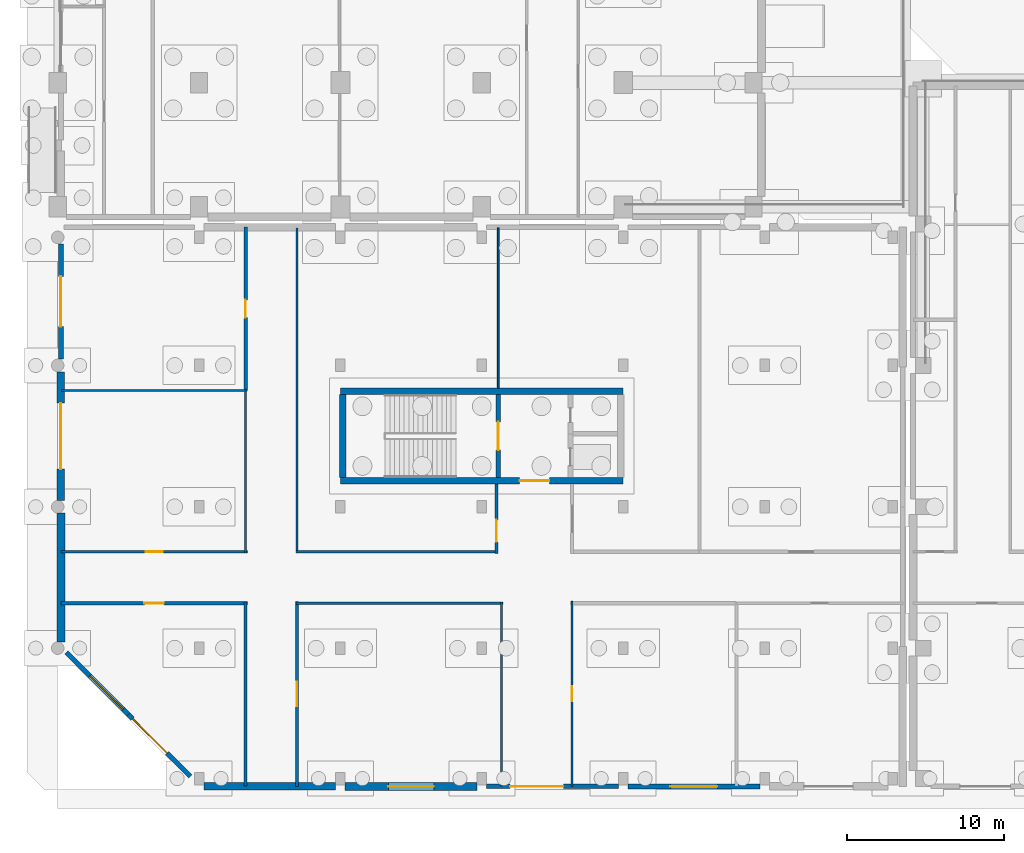
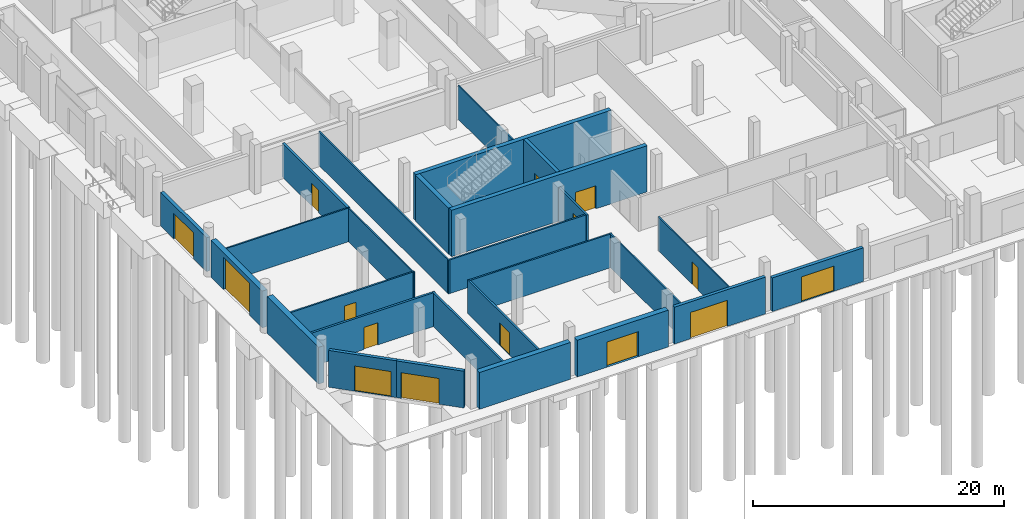
# One storey, part 13 of 53: 27 walls, 15 doors, 15 openings.
"""IFC4 building model written with IfcOpenShell, lengths in metres."""

from ifc_helpers import new_model, si_unit, direction, frame, frame_2d, origin, place, context, subcontext, project, spatial, rectangle, extrude, material, layer, layer_set, type_object, element, fill, save


model = new_model("IFC4")

# Units and contexts
model_context = context("Model", 3, precision=1e-05, world=origin(), true_north=direction((0.0, 1.0)))
body_context = subcontext(model_context, "Body", "Model", "MODEL_VIEW")
ifc_project = project(units=[si_unit("LENGTHUNIT", "METRE"), si_unit("AREAUNIT", "SQUARE_METRE"), si_unit("VOLUMEUNIT", "CUBIC_METRE"), si_unit("PLANEANGLEUNIT", "RADIAN"), si_unit("MASSUNIT", "GRAM", prefix="KILO"), si_unit("THERMODYNAMICTEMPERATUREUNIT", "KELVIN"), si_unit("POWERUNIT", "WATT")], contexts=[model_context])

# Site, building, storey
site_placement = place(None, origin())
site = spatial("IfcSite", under=ifc_project, at=site_placement, CompositionType="ELEMENT")
building_placement = place(site_placement, origin())
building = spatial("IfcBuilding", under=site, at=building_placement, Name="Sindhuravela Promenade Stadium", CompositionType="ELEMENT")
storey_placement = place(building_placement, origin())
storey = spatial("IfcBuildingStorey", under=building, at=storey_placement, Name="L00", CompositionType="ELEMENT", Elevation=0.0)

# Wall, opening, door
ifc_material_1 = material(Name="Dholpur sandstone ashlar (45 MPa)", Category="masonry")
ifc_layer_1 = layer(ifc_material_1, 0.2900390625)
ifc_layer_set_1 = layer_set([ifc_layer_1], Name="Dholpur sandstone ashlar (45 MPa)")
wall_type_1 = type_object("IfcWallType", Name="EX-WL-SND290", PredefinedType="SOLIDWALL", material=ifc_layer_set_1)
wall_1_placement = place(storey_placement, frame((4.491455078125, 4.79150390625, 0.0), z_axis=(0.0, 0.0, 1.0), x_axis=(-0.7071286530614815, 0.7070849086350626, 0.0)))
wall_1 = element("IfcWall", 1, at=wall_1_placement, inside=storey, type_object=wall_type_1, Name="Exterior masonry wall EW10 Pavilion SW L00", PredefinedType="SOLIDWALL", context=body_context, shape_type="SweptSolid", body=[
    extrude(rectangle(XDim=5.5810546875, YDim=0.2900390625, at=frame_2d((2.79052734375, 0.0))), origin(), (0.0, 0.0, 1.0), 3.580078125),
])
opening_1_placement = place(wall_1_placement, frame((0.453369140625, 0.0, 0.0)))
opening_1 = element("IfcOpeningElement", 2, at=opening_1_placement, cuts=wall_1, Name="Opening G11", PredefinedType="OPENING", context=body_context, shape_type="SweptSolid", body=[
    extrude(rectangle(XDim=3.0, YDim=2.449951171875, at=frame_2d((1.5, 1.22509765625))), frame((0.0, 0.155029296875, 0.0), z_axis=(0.0, -1.0, 0.0), x_axis=(1.0, 0.0, 0.0)), (0.0, 0.0, 1.0), 0.31005859375),
])
ifc_material_2 = material(Name="Anodised architectural aluminium 6063-T6", Category="aluminium")
door_type_1 = type_object("IfcDoorType", Name="DR-EXIT-3000x2450", OperationType="DOUBLE_DOOR_SINGLE_SWING", PredefinedType="DOOR", material=ifc_material_2)
door_1_placement = place(opening_1_placement, origin())
door_1 = element("IfcDoor", 3, at=door_1_placement, inside=storey, type_object=door_type_1, Name="Gate exit door G11", OperationType="DOUBLE_DOOR_SINGLE_SWING", OverallHeight=2.449951171875, OverallWidth=3.0, PredefinedType="DOOR", context=body_context, shape_type="SweptSolid", body=[
    extrude(rectangle(XDim=3.0, YDim=2.449951171875, at=frame_2d((1.5, 1.22509765625))), frame((0.0, 0.02490234375, 0.0), z_axis=(0.0, -1.0, 0.0), x_axis=(1.0, 0.0, 0.0)), (0.0, 0.0, 1.0), 0.050048828125),
])
fill(opening_1, door_1)

wall_2_placement = place(storey_placement, frame((35.695068359375, 0.199951171875, 0.0), z_axis=(0.0, 0.0, 1.0), x_axis=(-1.0, 0.0, 0.0)))
wall_2 = element("IfcWall", 4, at=wall_2_placement, inside=storey, type_object=wall_type_1, Name="Exterior masonry wall EW10 Pavilion SW L00", PredefinedType="SOLIDWALL", context=body_context, shape_type="SweptSolid", body=[
    extrude(rectangle(XDim=8.39013671875, YDim=0.2900390625, at=frame_2d((4.195068359375, 0.0))), origin(), (0.0, 0.0, 1.0), 3.580078125),
])
opening_2_placement = place(wall_2_placement, frame((3.4951171875, 0.0, 0.0)))
opening_2 = element("IfcOpeningElement", 5, at=opening_2_placement, cuts=wall_2, Name="Opening E07", PredefinedType="OPENING", context=body_context, shape_type="SweptSolid", body=[
    extrude(rectangle(XDim=3.39990234375, YDim=2.550048828125, at=frame_2d((1.699951171875, 1.27490234375))), frame((0.0, 0.155029296875, 0.0), z_axis=(0.0, -1.0, 0.0), x_axis=(1.0, 0.0, 0.0)), (0.0, 0.0, 1.0), 0.31005859375),
])
door_type_2 = type_object("IfcDoorType", Name="DR-EXIT-3400x2550", OperationType="DOUBLE_DOOR_SINGLE_SWING", PredefinedType="DOOR", material=ifc_material_2)
door_2_placement = place(opening_2_placement, origin())
door_2 = element("IfcDoor", 6, at=door_2_placement, inside=storey, type_object=door_type_2, Name="Final exit door E07", OperationType="DOUBLE_DOOR_SINGLE_SWING", OverallHeight=2.550048828125, OverallWidth=3.39990234375, PredefinedType="DOOR", context=body_context, shape_type="SweptSolid", body=[
    extrude(rectangle(XDim=3.39990234375, YDim=2.550048828125, at=frame_2d((1.699951171875, 1.27490234375))), frame((0.0, 0.02490234375, 0.0), z_axis=(0.0, -1.0, 0.0), x_axis=(1.0, 0.0, 0.0)), (0.0, 0.0, 1.0), 0.050048828125),
])
fill(opening_2, door_2)

ifc_layer_2 = layer(ifc_material_1, 0.31005859375)
ifc_layer_set_2 = layer_set([ifc_layer_2], Name="Dholpur sandstone ashlar (45 MPa)")
wall_type_2 = type_object("IfcWallType", Name="EX-WL-SND310", PredefinedType="SOLIDWALL", material=ifc_layer_set_2)
wall_3_placement = place(storey_placement, frame((8.43798828125, 0.844970703125, 0.0), z_axis=(0.0, 0.0, 1.0), x_axis=(-0.7071067811865476, 0.7071067811865476, 0.0)))
wall_3 = element("IfcWall", 7, at=wall_3_placement, inside=storey, type_object=wall_type_2, Name="Exterior masonry wall EW09 Pavilion SW L00", PredefinedType="SOLIDWALL", context=body_context, shape_type="SweptSolid", body=[
    extrude(rectangle(XDim=5.581298828125, YDim=0.31005859375, at=frame_2d((2.79052734375, 0.0))), origin(), (0.0, 0.0, 1.0), 3.580078125),
])
opening_3_placement = place(wall_3_placement, frame((2.07763671875, 0.0, 0.0)))
opening_3 = element("IfcOpeningElement", 8, at=opening_3_placement, cuts=wall_3, Name="Opening G10", PredefinedType="OPENING", context=body_context, shape_type="SweptSolid", body=[
    extrude(rectangle(XDim=3.10009765625, YDim=2.5, at=frame_2d((1.550048828125, 1.25))), frame((0.0, 0.1650390625, 0.0), z_axis=(0.0, -1.0, 0.0), x_axis=(1.0, 0.0, 0.0)), (0.0, 0.0, 1.0), 0.330078125),
])
door_type_3 = type_object("IfcDoorType", Name="DR-EXIT-3100x2500", OperationType="DOUBLE_DOOR_SINGLE_SWING", PredefinedType="DOOR", material=ifc_material_2)
door_3_placement = place(opening_3_placement, origin())
door_3 = element("IfcDoor", 9, at=door_3_placement, inside=storey, type_object=door_type_3, Name="Gate exit door G10", OperationType="DOUBLE_DOOR_SINGLE_SWING", OverallHeight=2.5, OverallWidth=3.10009765625, PredefinedType="DOOR", context=body_context, shape_type="SweptSolid", body=[
    extrude(rectangle(XDim=3.10009765625, YDim=2.5, at=frame_2d((1.550048828125, 1.25))), frame((0.0, 0.02490234375, 0.0), z_axis=(0.0, -1.0, 0.0), x_axis=(1.0, 0.0, 0.0)), (0.0, 0.0, 1.0), 0.050048828125),
])
fill(opening_3, door_3)

wall_4_placement = place(storey_placement, frame((0.199951171875, 27.405029296875, 0.0), z_axis=(0.0, 0.0, 1.0), x_axis=(0.0, 1.0, 0.0)))
wall_4 = element("IfcWall", 10, at=wall_4_placement, inside=storey, type_object=wall_type_2, Name="Exterior masonry wall EW09 Pavilion SW L00", PredefinedType="SOLIDWALL", context=body_context, shape_type="SweptSolid", body=[
    extrude(rectangle(XDim=7.340087890625, YDim=0.31005859375, at=frame_2d((3.669921875, 0.0))), origin(), (0.0, 0.0, 1.0), 3.280029296875),
])
opening_4_placement = place(wall_4_placement, frame((2.070068359375, 0.0, 0.0)))
opening_4 = element("IfcOpeningElement", 11, at=opening_4_placement, cuts=wall_4, Name="Opening G13", PredefinedType="OPENING", context=body_context, shape_type="SweptSolid", body=[
    extrude(rectangle(XDim=3.199951171875, YDim=2.5, at=frame_2d((1.60009765625, 1.25))), frame((0.0, 0.1650390625, 0.0), z_axis=(0.0, -1.0, 0.0), x_axis=(1.0, 0.0, 0.0)), (0.0, 0.0, 1.0), 0.330078125),
])
door_type_4 = type_object("IfcDoorType", Name="DR-EXIT-3200x2500", OperationType="DOUBLE_DOOR_SINGLE_SWING", PredefinedType="DOOR", material=ifc_material_2)
door_4_placement = place(opening_4_placement, origin())
door_4 = element("IfcDoor", 12, at=door_4_placement, inside=storey, type_object=door_type_4, Name="Gate exit door G13", OperationType="DOUBLE_DOOR_SINGLE_SWING", OverallHeight=2.5, OverallWidth=3.199951171875, PredefinedType="DOOR", context=body_context, shape_type="SweptSolid", body=[
    extrude(rectangle(XDim=3.199951171875, YDim=2.5, at=frame_2d((1.60009765625, 1.25))), frame((0.0, 0.02490234375, 0.0), z_axis=(0.0, -1.0, 0.0), x_axis=(1.0, 0.0, 0.0)), (0.0, 0.0, 1.0), 0.050048828125),
])
fill(opening_4, door_4)

wall_5_placement = place(storey_placement, frame((44.695068359375, 0.199951171875, 0.0), z_axis=(0.0, 0.0, 1.0), x_axis=(-1.0, 0.0, 0.0)))
wall_5 = element("IfcWall", 13, at=wall_5_placement, inside=storey, type_object=wall_type_2, Name="Exterior masonry wall EW09 Pavilion SW L00", PredefinedType="SOLIDWALL", context=body_context, shape_type="SweptSolid", body=[
    extrude(rectangle(XDim=8.39013671875, YDim=0.31005859375, at=frame_2d((4.195068359375, 0.0))), origin(), (0.0, 0.0, 1.0), 3.280029296875),
])
opening_5_placement = place(wall_5_placement, frame((2.695068359375, 0.0, 0.0)))
opening_5 = element("IfcOpeningElement", 14, at=opening_5_placement, cuts=wall_5, Name="Opening G15", PredefinedType="OPENING", context=body_context, shape_type="SweptSolid", body=[
    extrude(rectangle(XDim=3.0, YDim=2.449951171875, at=frame_2d((1.5, 1.22509765625))), frame((0.0, 0.1650390625, 0.0), z_axis=(0.0, -1.0, 0.0), x_axis=(1.0, 0.0, 0.0)), (0.0, 0.0, 1.0), 0.330078125),
])
door_5_placement = place(opening_5_placement, origin())
door_5 = element("IfcDoor", 15, at=door_5_placement, inside=storey, type_object=door_type_1, Name="Gate exit door G15", OperationType="DOUBLE_DOOR_SINGLE_SWING", OverallHeight=2.449951171875, OverallWidth=3.0, PredefinedType="DOOR", context=body_context, shape_type="SweptSolid", body=[
    extrude(rectangle(XDim=3.0, YDim=2.449951171875, at=frame_2d((1.5, 1.22509765625))), frame((0.0, 0.02490234375, 0.0), z_axis=(0.0, -1.0, 0.0), x_axis=(1.0, 0.0, 0.0)), (0.0, 0.0, 1.0), 0.050048828125),
])
fill(opening_5, door_5)

ifc_layer_3 = layer(ifc_material_1, 0.47998046875)
ifc_layer_set_3 = layer_set([ifc_layer_3], Name="Dholpur sandstone ashlar (45 MPa)")
wall_type_3 = type_object("IfcWallType", Name="EX-WL-SND480", PredefinedType="SOLIDWALL", material=ifc_layer_set_3)
wall_6_placement = place(storey_placement, frame((0.199951171875, 18.405029296875, 0.0), z_axis=(0.0, 0.0, 1.0), x_axis=(0.0, 1.0, 0.0)))
wall_6 = element("IfcWall", 16, at=wall_6_placement, inside=storey, type_object=wall_type_3, Name="Exterior masonry wall EW08 Pavilion SW L00", PredefinedType="SOLIDWALL", context=body_context, shape_type="SweptSolid", body=[
    extrude(rectangle(XDim=8.18994140625, YDim=0.47998046875, at=frame_2d((4.094970703125, 0.0))), origin(), (0.0, 0.0, 1.0), 3.580078125),
])
opening_6_placement = place(wall_6_placement, frame((1.9951171875, 0.0, 0.0)))
opening_6 = element("IfcOpeningElement", 17, at=opening_6_placement, cuts=wall_6, Name="Opening VD01", PredefinedType="OPENING", context=body_context, shape_type="SweptSolid", body=[
    extrude(rectangle(XDim=4.199951171875, YDim=3.14990234375, at=frame_2d((2.10009765625, 1.574951171875))), frame((0.0, 0.25, 0.0), z_axis=(0.0, -1.0, 0.0), x_axis=(1.0, 0.0, 0.0)), (0.0, 0.0, 1.0), 0.5),
])
ifc_material_3 = material(Name="Architectural wrought steel E350", Category="steel")
door_type_5 = type_object("IfcDoorType", Name="DR-SHUT-4200x3150", OperationType="ROLLINGUP", PredefinedType="DOOR", material=ifc_material_3)
door_6_placement = place(opening_6_placement, origin())
door_6 = element("IfcDoor", 18, at=door_6_placement, inside=storey, type_object=door_type_5, Name="Vehicle tunnel roller shutter VD01", OperationType="ROLLINGUP", OverallHeight=3.14990234375, OverallWidth=4.199951171875, PredefinedType="DOOR", context=body_context, shape_type="SweptSolid", body=[
    extrude(rectangle(XDim=4.199951171875, YDim=3.14990234375, at=frame_2d((2.10009765625, 1.574951171875))), frame((0.0, 0.02490234375, 0.0), z_axis=(0.0, -1.0, 0.0), x_axis=(1.0, 0.0, 0.0)), (0.0, 0.0, 1.0), 0.050048828125),
])
fill(opening_6, door_6)

# Walls
wall_7_placement = place(storey_placement, frame((17.695068359375, 0.199951171875, 0.0), z_axis=(0.0, 0.0, 1.0), x_axis=(-1.0, 0.0, 0.0)))
element("IfcWall", 19, at=wall_7_placement, inside=storey, type_object=wall_type_3, Name="Exterior masonry wall EW08 Pavilion SW L00", PredefinedType="SOLIDWALL", context=body_context, shape_type="SweptSolid", body=[
    extrude(rectangle(XDim=8.39013671875, YDim=0.47998046875, at=frame_2d((4.195068359375, 0.0))), origin(), (0.0, 0.0, 1.0), 3.580078125),
])
ifc_layer_4 = layer(ifc_material_1, 0.5)
ifc_layer_set_4 = layer_set([ifc_layer_4], Name="Dholpur sandstone ashlar (45 MPa)")
wall_type_4 = type_object("IfcWallType", Name="EX-WL-SND500", PredefinedType="SOLIDWALL", material=ifc_layer_set_4)
wall_8_placement = place(storey_placement, frame((0.199951171875, 9.405029296875, 0.0), z_axis=(0.0, 0.0, 1.0), x_axis=(0.0, 1.0, 0.0)))
element("IfcWall", 20, at=wall_8_placement, inside=storey, type_object=wall_type_4, Name="Exterior masonry wall EW07 Pavilion SW L00", PredefinedType="SOLIDWALL", context=body_context, shape_type="SweptSolid", body=[
    extrude(rectangle(XDim=8.18994140625, YDim=0.5, at=frame_2d((4.094970703125, 0.0))), origin(), (0.0, 0.0, 1.0), 3.580078125),
])

# Wall, opening, door
wall_9_placement = place(storey_placement, frame((26.695068359375, 0.199951171875, 0.0), z_axis=(0.0, 0.0, 1.0), x_axis=(-1.0, 0.0, 0.0)))
wall_9 = element("IfcWall", 21, at=wall_9_placement, inside=storey, type_object=wall_type_4, Name="Exterior masonry wall EW07 Pavilion SW L00", PredefinedType="SOLIDWALL", context=body_context, shape_type="SweptSolid", body=[
    extrude(rectangle(XDim=8.39013671875, YDim=0.5, at=frame_2d((4.195068359375, 0.0))), origin(), (0.0, 0.0, 1.0), 3.580078125),
])
opening_7_placement = place(wall_9_placement, frame((2.7451171875, 0.0, 0.0)))
opening_7 = element("IfcOpeningElement", 22, at=opening_7_placement, cuts=wall_9, Name="Opening G16", PredefinedType="OPENING", context=body_context, shape_type="SweptSolid", body=[
    extrude(rectangle(XDim=2.89990234375, YDim=2.449951171875, at=frame_2d((1.449951171875, 1.22509765625))), frame((0.0, 0.260009765625, 0.0), z_axis=(0.0, -1.0, 0.0), x_axis=(1.0, 0.0, 0.0)), (0.0, 0.0, 1.0), 0.52001953125),
])
door_type_6 = type_object("IfcDoorType", Name="DR-EXIT-2900x2450", OperationType="DOUBLE_DOOR_SINGLE_SWING", PredefinedType="DOOR", material=ifc_material_2)
door_7_placement = place(opening_7_placement, origin())
door_7 = element("IfcDoor", 23, at=door_7_placement, inside=storey, type_object=door_type_6, Name="Gate exit door G16", OperationType="DOUBLE_DOOR_SINGLE_SWING", OverallHeight=2.449951171875, OverallWidth=2.89990234375, PredefinedType="DOOR", context=body_context, shape_type="SweptSolid", body=[
    extrude(rectangle(XDim=2.89990234375, YDim=2.449951171875, at=frame_2d((1.449951171875, 1.22509765625))), frame((0.0, 0.02490234375, 0.0), z_axis=(0.0, -1.0, 0.0), x_axis=(1.0, 0.0, 0.0)), (0.0, 0.0, 1.0), 0.050048828125),
])
fill(opening_7, door_7)

# Wall
ifc_material_4 = material(Name="Fire-rated gypsum partition board", Category="gypsum")
ifc_layer_5 = layer(ifc_material_4, 0.110107421875)
ifc_layer_set_5 = layer_set([ifc_layer_5], Name="Fire-rated gypsum partition board")
wall_type_5 = type_object("IfcWallType", Name="IN-WL-PAR110", PredefinedType="PARTITIONING", material=ifc_layer_set_5)
wall_10_placement = place(storey_placement, frame((28.05322265625, 35.760009765625, 0.0), z_axis=(0.0, 0.0, 1.0), x_axis=(0.0, -1.0, 0.0)))
element("IfcWall", 24, at=wall_10_placement, inside=storey, type_object=wall_type_5, Name="Interior partition IW06 Pavilion SW L00", PredefinedType="PARTITIONING", context=body_context, shape_type="SweptSolid", body=[
    extrude(rectangle(XDim=10.2080078125, YDim=0.110107421875, at=frame_2d((5.10400390625, 0.0))), origin(), (0.0, 0.0, 1.0), 3.280029296875),
])

# Wall, opening, door
wall_11_placement = place(storey_placement, frame((32.739990234375, 11.97998046875, 0.0), z_axis=(0.0, 0.0, 1.0), x_axis=(0.0, -1.0, 0.0)))
wall_11 = element("IfcWall", 25, at=wall_11_placement, inside=storey, type_object=wall_type_5, Name="Corridor partition IW06 Gate Ticketing Hall SW 2", PredefinedType="PARTITIONING", context=body_context, shape_type="SweptSolid", body=[
    extrude(rectangle(XDim=11.780029296875, YDim=0.110107421875, at=frame_2d((5.89013671875, 0.0))), origin(), (0.0, 0.0, 1.0), 3.280029296875),
])
opening_8_placement = place(wall_11_placement, frame((5.4150390625, 0.0, 0.0)))
opening_8 = element("IfcOpeningElement", 26, at=opening_8_placement, cuts=wall_11, Name="Opening ID10", PredefinedType="OPENING", context=body_context, shape_type="SweptSolid", body=[
    extrude(rectangle(XDim=0.949951171875, YDim=2.179931640625, at=frame_2d((0.47509765625, 1.08984375))), frame((0.0, 0.06494140625, 0.0), z_axis=(0.0, -1.0, 0.0), x_axis=(1.0, 0.0, 0.0)), (0.0, 0.0, 1.0), 0.130126953125),
])
ifc_material_5 = material(Name="Architectural teak timber leaf", Category="wood")
door_type_7 = type_object("IfcDoorType", Name="DR-INT-950x2180", OperationType="NOTDEFINED", PredefinedType="DOOR", material=ifc_material_5)
door_8_placement = place(opening_8_placement, origin())
door_8 = element("IfcDoor", 27, at=door_8_placement, inside=storey, type_object=door_type_7, Name="Gate Ticketing Hall SW 2 door", OperationType="SINGLE_SWING_RIGHT", OverallHeight=2.179931640625, OverallWidth=0.949951171875, PredefinedType="DOOR", context=body_context, shape_type="SweptSolid", body=[
    extrude(rectangle(XDim=0.949951171875, YDim=2.179931640625, at=frame_2d((0.47509765625, 1.08984375))), frame((0.0, 0.02490234375, 0.0), z_axis=(0.0, -1.0, 0.0), x_axis=(1.0, 0.0, 0.0)), (0.0, 0.0, 1.0), 0.050048828125),
])
fill(opening_8, door_8)

# Walls
wall_12_placement = place(storey_placement, frame((11.9599609375, 25.3701171875, 0.0), z_axis=(0.0, 0.0, 1.0), x_axis=(0.0, -1.0, 0.0)))
element("IfcWall", 28, at=wall_12_placement, inside=storey, type_object=wall_type_5, Name="Interior partition IW06 Pavilion SW L00", PredefinedType="PARTITIONING", context=body_context, shape_type="SweptSolid", body=[
    extrude(rectangle(XDim=10.31005859375, YDim=0.110107421875, at=frame_2d((5.155029296875, 0.0))), origin(), (0.0, 0.0, 1.0), 3.280029296875),
])
ifc_layer_6 = layer(ifc_material_4, 0.1298828125)
ifc_layer_set_6 = layer_set([ifc_layer_6], Name="Fire-rated gypsum partition board")
wall_type_6 = type_object("IfcWallType", Name="IN-WL-PAR130", PredefinedType="PARTITIONING", material=ifc_layer_set_6)
wall_13_placement = place(storey_placement, frame((15.239990234375, 15.06005859375, 0.0), z_axis=(0.0, 0.0, 1.0), x_axis=(0.0, 1.0, 0.0)))
element("IfcWall", 29, at=wall_13_placement, inside=storey, type_object=wall_type_6, Name="Interior partition IW05 Pavilion SW L00", PredefinedType="PARTITIONING", context=body_context, shape_type="SweptSolid", body=[
    extrude(rectangle(XDim=20.699951171875, YDim=0.1298828125, at=frame_2d((10.35009765625, 0.0))), origin(), (0.0, 0.0, 1.0), 3.280029296875),
])
wall_14_placement = place(storey_placement, frame((28.260009765625, 11.93994140625, 0.0), z_axis=(0.0, 0.0, 1.0), x_axis=(0.0, -1.0, 0.0)))
element("IfcWall", 30, at=wall_14_placement, inside=storey, type_object=wall_type_6, Name="Interior partition IW05 Pavilion SW L00", PredefinedType="PARTITIONING", context=body_context, shape_type="SweptSolid", body=[
    extrude(rectangle(XDim=11.699951171875, YDim=0.1298828125, at=frame_2d((5.85009765625, 0.0))), origin(), (0.0, 0.0, 1.0), 3.280029296875),
])
wall_15_placement = place(storey_placement, frame((0.239990234375, 25.409912109375, 0.0), z_axis=(0.0, 0.0, 1.0), x_axis=(1.0, 0.0, 0.0)))
element("IfcWall", 31, at=wall_15_placement, inside=storey, type_object=wall_type_6, Name="Interior partition IW05 Pavilion SW L00", PredefinedType="PARTITIONING", context=body_context, shape_type="SweptSolid", body=[
    extrude(rectangle(XDim=11.800048828125, YDim=0.1298828125, at=frame_2d((5.89990234375, 0.0))), origin(), (0.0, 0.0, 1.0), 3.280029296875),
])
ifc_layer_7 = layer(ifc_material_4, 0.14990234375)
ifc_layer_set_7 = layer_set([ifc_layer_7], Name="Fire-rated gypsum partition board")
wall_type_7 = type_object("IfcWallType", Name="IN-WL-PAR150", PredefinedType="PARTITIONING", material=ifc_layer_set_7)
wall_16_placement = place(storey_placement, frame((28.01318359375, 15.139892578125, 0.0), z_axis=(0.0, 0.0, 1.0), x_axis=(-1.0, 0.0, 0.0)))
element("IfcWall", 32, at=wall_16_placement, inside=storey, type_object=wall_type_7, Name="Interior partition IW04 Pavilion SW L00", PredefinedType="PARTITIONING", context=body_context, shape_type="SweptSolid", body=[
    extrude(rectangle(XDim=12.853271484375, YDim=0.14990234375, at=frame_2d((6.4267578125, 0.0))), origin(), (0.0, 0.0, 1.0), 3.280029296875),
])
wall_17_placement = place(storey_placement, frame((15.159912109375, 11.860107421875, 0.0), z_axis=(0.0, 0.0, 1.0), x_axis=(1.0, 0.0, 0.0)))
element("IfcWall", 33, at=wall_17_placement, inside=storey, type_object=wall_type_7, Name="Interior partition IW04 Pavilion SW L00", PredefinedType="PARTITIONING", context=body_context, shape_type="SweptSolid", body=[
    extrude(rectangle(XDim=13.18017578125, YDim=0.14990234375, at=frame_2d((6.590087890625, 0.0))), origin(), (0.0, 0.0, 1.0), 3.280029296875),
])

# Wall, opening, door
wall_18_placement = place(storey_placement, frame((0.199951171875, 15.139892578125, 0.0), z_axis=(0.0, 0.0, 1.0), x_axis=(1.0, 0.0, 0.0)))
wall_18 = element("IfcWall", 34, at=wall_18_placement, inside=storey, type_object=wall_type_7, Name="Corridor partition IW04 Bag Check and Security Hall SW 4", PredefinedType="PARTITIONING", context=body_context, shape_type="SweptSolid", body=[
    extrude(rectangle(XDim=11.880126953125, YDim=0.14990234375, at=frame_2d((5.93994140625, 0.0))), origin(), (0.0, 0.0, 1.0), 3.280029296875),
])
opening_9_placement = place(wall_18_placement, frame((5.39990234375, 0.0, 0.0)))
opening_9 = element("IfcOpeningElement", 35, at=opening_9_placement, cuts=wall_18, Name="Opening ID12", PredefinedType="OPENING", context=body_context, shape_type="SweptSolid", body=[
    extrude(rectangle(XDim=1.080078125, YDim=2.179931640625, at=frame_2d((0.5400390625, 1.08984375))), frame((0.0, 0.0849609375, 0.0), z_axis=(0.0, -1.0, 0.0), x_axis=(1.0, 0.0, 0.0)), (0.0, 0.0, 1.0), 0.169921875),
])
door_type_8 = type_object("IfcDoorType", Name="DR-INT-1080x2180", OperationType="NOTDEFINED", PredefinedType="DOOR", material=ifc_material_5)
door_9_placement = place(opening_9_placement, origin())
door_9 = element("IfcDoor", 36, at=door_9_placement, inside=storey, type_object=door_type_8, Name="Bag Check and Security Hall SW 4 door", OperationType="SINGLE_SWING_RIGHT", OverallHeight=2.179931640625, OverallWidth=1.080078125, PredefinedType="DOOR", context=body_context, shape_type="SweptSolid", body=[
    extrude(rectangle(XDim=1.080078125, YDim=2.179931640625, at=frame_2d((0.5400390625, 1.08984375))), frame((0.0, 0.02490234375, 0.0), z_axis=(0.0, -1.0, 0.0), x_axis=(1.0, 0.0, 0.0)), (0.0, 0.0, 1.0), 0.050048828125),
])
fill(opening_9, door_9)

ifc_layer_8 = layer(ifc_material_4, 0.175048828125)
ifc_layer_set_8 = layer_set([ifc_layer_8], Name="Fire-rated gypsum partition board")
wall_type_8 = type_object("IfcWallType", Name="IN-WL-PAR175", PredefinedType="PARTITIONING", material=ifc_layer_set_8)
wall_19_placement = place(storey_placement, frame((27.933349609375, 15.02001953125, 0.0), z_axis=(0.0, 0.0, 1.0), x_axis=(0.0, 1.0, 0.0)))
wall_19 = element("IfcWall", 37, at=wall_19_placement, inside=storey, type_object=wall_type_8, Name="Corridor partition IW03 Spectator Accreditation Foyer SW", PredefinedType="PARTITIONING", context=body_context, shape_type="SweptSolid", body=[
    extrude(rectangle(XDim=4.427978515625, YDim=0.175048828125, at=frame_2d((2.2138671875, 0.0))), origin(), (0.0, 0.0, 1.0), 3.280029296875),
])
opening_10_placement = place(wall_19_placement, frame((0.751220703125, 0.0, 0.0)))
opening_10 = element("IfcOpeningElement", 38, at=opening_10_placement, cuts=wall_19, Name="Opening ID03", PredefinedType="OPENING", context=body_context, shape_type="SweptSolid", body=[
    extrude(rectangle(XDim=1.39990234375, YDim=2.14990234375, at=frame_2d((0.699951171875, 1.074951171875))), frame((0.0, 0.097412109375, 0.0), z_axis=(0.0, -1.0, 0.0), x_axis=(1.0, 0.0, 0.0)), (0.0, 0.0, 1.0), 0.195068359375),
])
door_type_9 = type_object("IfcDoorType", Name="DR-INT-1400x2150", OperationType="DOUBLE_DOOR_SINGLE_SWING", PredefinedType="DOOR", material=ifc_material_5)
door_10_placement = place(opening_10_placement, origin())
door_10 = element("IfcDoor", 39, at=door_10_placement, inside=storey, type_object=door_type_9, Name="Spectator Accreditation Foyer SW door", OperationType="DOUBLE_DOOR_SINGLE_SWING", OverallHeight=2.14990234375, OverallWidth=1.39990234375, PredefinedType="DOOR", context=body_context, shape_type="SweptSolid", body=[
    extrude(rectangle(XDim=1.39990234375, YDim=2.14990234375, at=frame_2d((0.699951171875, 1.074951171875))), frame((0.0, 0.02490234375, 0.0), z_axis=(0.0, -1.0, 0.0), x_axis=(1.0, 0.0, 0.0)), (0.0, 0.0, 1.0), 0.050048828125),
])
fill(opening_10, door_10)

wall_20_placement = place(storey_placement, frame((15.239990234375, 11.97998046875, 0.0), z_axis=(0.0, 0.0, 1.0), x_axis=(0.0, -1.0, 0.0)))
wall_20 = element("IfcWall", 40, at=wall_20_placement, inside=storey, type_object=wall_type_8, Name="Corridor partition IW03 Accessible WC SW L00", PredefinedType="PARTITIONING", context=body_context, shape_type="SweptSolid", body=[
    extrude(rectangle(XDim=11.780029296875, YDim=0.175048828125, at=frame_2d((5.89013671875, 0.0))), origin(), (0.0, 0.0, 1.0), 3.280029296875),
])
opening_11_placement = place(wall_20_placement, frame((5.114990234375, 0.0, 0.0)))
opening_11 = element("IfcOpeningElement", 41, at=opening_11_placement, cuts=wall_20, Name="Opening ID02", PredefinedType="OPENING", context=body_context, shape_type="SweptSolid", body=[
    extrude(rectangle(XDim=1.550048828125, YDim=2.199951171875, at=frame_2d((0.77490234375, 1.10009765625))), frame((0.0, 0.097412109375, 0.0), z_axis=(0.0, -1.0, 0.0), x_axis=(1.0, 0.0, 0.0)), (0.0, 0.0, 1.0), 0.195068359375),
])
door_type_10 = type_object("IfcDoorType", Name="DR-INT-1550x2200", OperationType="DOUBLE_DOOR_SINGLE_SWING", PredefinedType="DOOR", material=ifc_material_5)
door_11_placement = place(opening_11_placement, origin())
door_11 = element("IfcDoor", 42, at=door_11_placement, inside=storey, type_object=door_type_10, Name="Accessible WC SW L00 door", OperationType="DOUBLE_DOOR_SINGLE_SWING", OverallHeight=2.199951171875, OverallWidth=1.550048828125, PredefinedType="DOOR", context=body_context, shape_type="SweptSolid", body=[
    extrude(rectangle(XDim=1.550048828125, YDim=2.199951171875, at=frame_2d((0.77490234375, 1.10009765625))), frame((0.0, 0.02490234375, 0.0), z_axis=(0.0, -1.0, 0.0), x_axis=(1.0, 0.0, 0.0)), (0.0, 0.0, 1.0), 0.050048828125),
])
fill(opening_11, door_11)

# Wall
wall_21_placement = place(storey_placement, frame((11.9599609375, 11.93994140625, 0.0), z_axis=(0.0, 0.0, 1.0), x_axis=(0.0, -1.0, 0.0)))
element("IfcWall", 43, at=wall_21_placement, inside=storey, type_object=wall_type_8, Name="Interior partition IW03 Pavilion SW L00", PredefinedType="PARTITIONING", context=body_context, shape_type="SweptSolid", body=[
    extrude(rectangle(XDim=11.699951171875, YDim=0.175048828125, at=frame_2d((5.85009765625, 0.0))), origin(), (0.0, 0.0, 1.0), 3.280029296875),
])

# Wall, opening, door
ifc_layer_9 = layer(ifc_material_4, 0.195068359375)
ifc_layer_set_9 = layer_set([ifc_layer_9], Name="Fire-rated gypsum partition board")
wall_type_9 = type_object("IfcWallType", Name="IN-WL-PAR195", PredefinedType="PARTITIONING", material=ifc_layer_set_9)
wall_22_placement = place(storey_placement, frame((12.080078125, 11.860107421875, 0.0), z_axis=(0.0, 0.0, 1.0), x_axis=(-1.0, 0.0, 0.0)))
wall_22 = element("IfcWall", 44, at=wall_22_placement, inside=storey, type_object=wall_type_9, Name="Corridor partition IW02 Gate Ticketing Hall SW 6", PredefinedType="PARTITIONING", context=body_context, shape_type="SweptSolid", body=[
    extrude(rectangle(XDim=11.880126953125, YDim=0.195068359375, at=frame_2d((5.93994140625, 0.0))), origin(), (0.0, 0.0, 1.0), 3.280029296875),
])
opening_12_placement = place(wall_22_placement, frame((5.31494140625, 0.0, 0.0)))
opening_12 = element("IfcOpeningElement", 45, at=opening_12_placement, cuts=wall_22, Name="Opening ID04", PredefinedType="OPENING", context=body_context, shape_type="SweptSolid", body=[
    extrude(rectangle(XDim=1.25, YDim=2.14990234375, at=frame_2d((0.625, 1.074951171875))), frame((0.0, 0.107421875, 0.0), z_axis=(0.0, -1.0, 0.0), x_axis=(1.0, 0.0, 0.0)), (0.0, 0.0, 1.0), 0.215087890625),
])
door_type_11 = type_object("IfcDoorType", Name="DR-INT-1250x2150", OperationType="NOTDEFINED", PredefinedType="DOOR", material=ifc_material_5)
door_12_placement = place(opening_12_placement, origin())
door_12 = element("IfcDoor", 46, at=door_12_placement, inside=storey, type_object=door_type_11, Name="Gate Ticketing Hall SW 6 door", OperationType="SINGLE_SWING_RIGHT", OverallHeight=2.14990234375, OverallWidth=1.25, PredefinedType="DOOR", context=body_context, shape_type="SweptSolid", body=[
    extrude(rectangle(XDim=1.25, YDim=2.14990234375, at=frame_2d((0.625, 1.074951171875))), frame((0.0, 0.02490234375, 0.0), z_axis=(0.0, -1.0, 0.0), x_axis=(1.0, 0.0, 0.0)), (0.0, 0.0, 1.0), 0.050048828125),
])
fill(opening_12, door_12)

ifc_layer_10 = layer(ifc_material_4, 0.219970703125)
ifc_layer_set_10 = layer_set([ifc_layer_10], Name="Fire-rated gypsum partition board")
wall_type_10 = type_object("IfcWallType", Name="IN-WL-PAR220", PredefinedType="PARTITIONING", material=ifc_layer_set_10)
wall_23_placement = place(storey_placement, frame((11.9599609375, 25.409912109375, 0.0), z_axis=(0.0, 0.0, 1.0), x_axis=(0.0, 1.0, 0.0)))
wall_23 = element("IfcWall", 47, at=wall_23_placement, inside=storey, type_object=wall_type_10, Name="Corridor partition IW01 Accessible WC SW L00 5", PredefinedType="PARTITIONING", context=body_context, shape_type="SweptSolid", body=[
    extrude(rectangle(XDim=10.39013671875, YDim=0.219970703125, at=frame_2d((5.195068359375, 0.0))), origin(), (0.0, 0.0, 1.0), 3.280029296875),
])
opening_13_placement = place(wall_23_placement, frame((4.635009765625, 0.0, 0.0)))
opening_13 = element("IfcOpeningElement", 48, at=opening_13_placement, cuts=wall_23, Name="Opening ID13", PredefinedType="OPENING", context=body_context, shape_type="SweptSolid", body=[
    extrude(rectangle(XDim=1.1201171875, YDim=2.219970703125, at=frame_2d((0.56005859375, 1.10986328125))), frame((0.0, 0.119873046875, 0.0), z_axis=(0.0, -1.0, 0.0), x_axis=(1.0, 0.0, 0.0)), (0.0, 0.0, 1.0), 0.239990234375),
])
door_type_12 = type_object("IfcDoorType", Name="DR-INT-1120x2220", OperationType="NOTDEFINED", PredefinedType="DOOR", material=ifc_material_5)
door_13_placement = place(opening_13_placement, origin())
door_13 = element("IfcDoor", 49, at=door_13_placement, inside=storey, type_object=door_type_12, Name="Accessible WC SW L00 5 door", OperationType="SINGLE_SWING_LEFT", OverallHeight=2.219970703125, OverallWidth=1.1201171875, PredefinedType="DOOR", context=body_context, shape_type="SweptSolid", body=[
    extrude(rectangle(XDim=1.1201171875, YDim=2.219970703125, at=frame_2d((0.56005859375, 1.10986328125))), frame((0.0, 0.02490234375, 0.0), z_axis=(0.0, -1.0, 0.0), x_axis=(1.0, 0.0, 0.0)), (0.0, 0.0, 1.0), 0.050048828125),
])
fill(opening_13, door_13)

ifc_material_6 = material(Name="Concrete M50", Category="concrete")
ifc_layer_11 = layer(ifc_material_6, 0.300048828125)
ifc_layer_set_11 = layer_set([ifc_layer_11], Name="Concrete M50")
wall_type_11 = type_object("IfcWallType", Name="RC-SW-300", PredefinedType="SHEAR", material=ifc_layer_set_11)
wall_24_placement = place(storey_placement, frame((28.050048828125, 19.85009765625, 0.0), z_axis=(0.0, 0.0, 1.0), x_axis=(0.0, 1.0, 0.0)))
wall_24 = element("IfcWall", 50, at=wall_24_placement, inside=storey, type_object=wall_type_11, Name="Core shear wall C13-ST (L00)", PredefinedType="SHEAR", context=body_context, shape_type="SweptSolid", body=[
    extrude(rectangle(XDim=5.2998046875, YDim=0.300048828125, at=frame_2d((2.64990234375, 0.0))), origin(), (0.0, 0.0, 1.0), 4.5),
])
opening_14_placement = place(wall_24_placement, frame((1.75, 0.0, 0.0)))
opening_14 = element("IfcOpeningElement", 51, at=opening_14_placement, cuts=wall_24, Name="Opening FD01", PredefinedType="OPENING", context=body_context, shape_type="SweptSolid", body=[
    extrude(rectangle(XDim=1.800048828125, YDim=2.25, at=frame_2d((0.89990234375, 1.125))), frame((0.0, 0.159912109375, 0.0), z_axis=(0.0, -1.0, 0.0), x_axis=(1.0, 0.0, 0.0)), (0.0, 0.0, 1.0), 0.320068359375),
])
door_type_13 = type_object("IfcDoorType", Name="DR-CORE-1800x2250", OperationType="DOUBLE_DOOR_SINGLE_SWING", PredefinedType="DOOR", material=ifc_material_3)
door_14_placement = place(opening_14_placement, origin())
door_14 = element("IfcDoor", 52, at=door_14_placement, inside=storey, type_object=door_type_13, Name="Stair GS01 lobby fire door (L00)", OperationType="DOUBLE_DOOR_SINGLE_SWING", OverallHeight=2.25, OverallWidth=1.800048828125, PredefinedType="DOOR", context=body_context, shape_type="SweptSolid", body=[
    extrude(rectangle(XDim=1.800048828125, YDim=2.25, at=frame_2d((0.89990234375, 1.125))), frame((0.0, 0.02490234375, 0.0), z_axis=(0.0, -1.0, 0.0), x_axis=(1.0, 0.0, 0.0)), (0.0, 0.0, 1.0), 0.050048828125),
])
fill(opening_14, door_14)

ifc_layer_12 = layer(ifc_material_6, 0.39990234375)
ifc_layer_set_12 = layer_set([ifc_layer_12], Name="Concrete M50")
wall_type_12 = type_object("IfcWallType", Name="RC-SW-400", PredefinedType="SHEAR", material=ifc_layer_set_12)
wall_25_placement = place(storey_placement, frame((18.0, 19.64990234375, 0.0), z_axis=(0.0, 0.0, 1.0), x_axis=(1.0, 0.0, 0.0)))
wall_25 = element("IfcWall", 53, at=wall_25_placement, inside=storey, type_object=wall_type_12, Name="Core shear wall C13-S (L00)", PredefinedType="SHEAR", context=body_context, shape_type="SweptSolid", body=[
    extrude(rectangle(XDim=18.0, YDim=0.39990234375, at=frame_2d((9.0, 0.0))), origin(), (0.0, 0.0, 1.0), 4.5),
])
opening_15_placement = place(wall_25_placement, frame((11.39990234375, 0.0, 0.0)))
opening_15 = element("IfcOpeningElement", 54, at=opening_15_placement, cuts=wall_25, Name="Opening FD02", PredefinedType="OPENING", context=body_context, shape_type="SweptSolid", body=[
    extrude(rectangle(XDim=1.89990234375, YDim=2.25, at=frame_2d((0.949951171875, 1.125))), frame((0.0, 0.2099609375, 0.0), z_axis=(0.0, -1.0, 0.0), x_axis=(1.0, 0.0, 0.0)), (0.0, 0.0, 1.0), 0.419921875),
])
door_type_14 = type_object("IfcDoorType", Name="DR-LOB-1900x2250", OperationType="DOUBLE_DOOR_SINGLE_SWING", PredefinedType="DOOR", material=ifc_material_3)
door_15_placement = place(opening_15_placement, origin())
door_15 = element("IfcDoor", 55, at=door_15_placement, inside=storey, type_object=door_type_14, Name="Protected lobby entrance door C13 (L00)", OperationType="DOUBLE_DOOR_SINGLE_SWING", OverallHeight=2.25, OverallWidth=1.89990234375, PredefinedType="DOOR", context=body_context, shape_type="SweptSolid", body=[
    extrude(rectangle(XDim=1.89990234375, YDim=2.25, at=frame_2d((0.949951171875, 1.125))), frame((0.0, 0.02490234375, 0.0), z_axis=(0.0, -1.0, 0.0), x_axis=(1.0, 0.0, 0.0)), (0.0, 0.0, 1.0), 0.050048828125),
])
fill(opening_15, door_15)

# Walls
wall_26_placement = place(storey_placement, frame((36.0, 25.35009765625, 0.0), z_axis=(0.0, 0.0, 1.0), x_axis=(-1.0, 0.0, 0.0)))
element("IfcWall", 56, at=wall_26_placement, inside=storey, type_object=wall_type_12, Name="Core shear wall C13-N (L00)", PredefinedType="SHEAR", context=body_context, shape_type="SweptSolid", body=[
    extrude(rectangle(XDim=18.0, YDim=0.39990234375, at=frame_2d((9.0, 0.0))), origin(), (0.0, 0.0, 1.0), 4.5),
])
wall_27_placement = place(storey_placement, frame((18.14990234375, 25.14990234375, 0.0), z_axis=(0.0, 0.0, 1.0), x_axis=(0.0, -1.0, 0.0)))
element("IfcWall", 57, at=wall_27_placement, inside=storey, type_object=wall_type_12, Name="Core shear wall C13-W (L00)", PredefinedType="SHEAR", context=body_context, shape_type="SweptSolid", body=[
    extrude(rectangle(XDim=5.2998046875, YDim=0.39990234375, at=frame_2d((2.64990234375, 0.0))), origin(), (0.0, 0.0, 1.0), 4.5),
])

save(model, "model.ifc")
